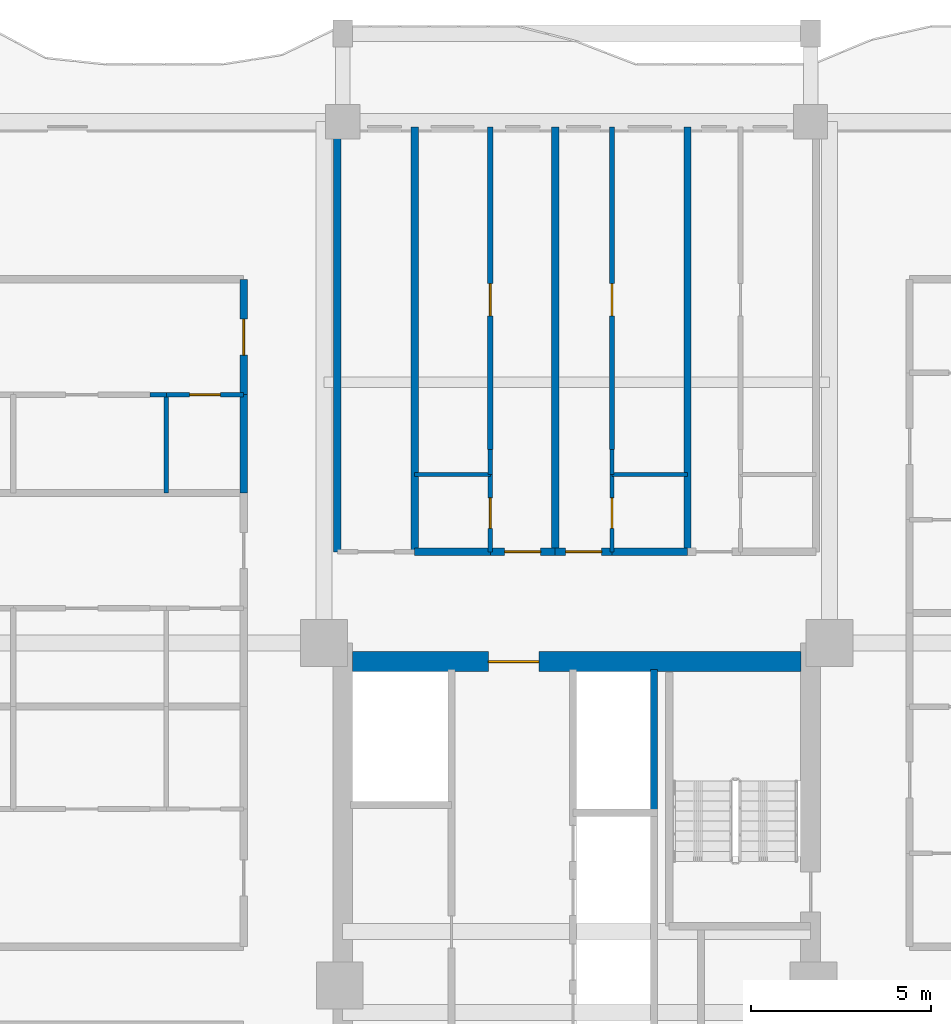
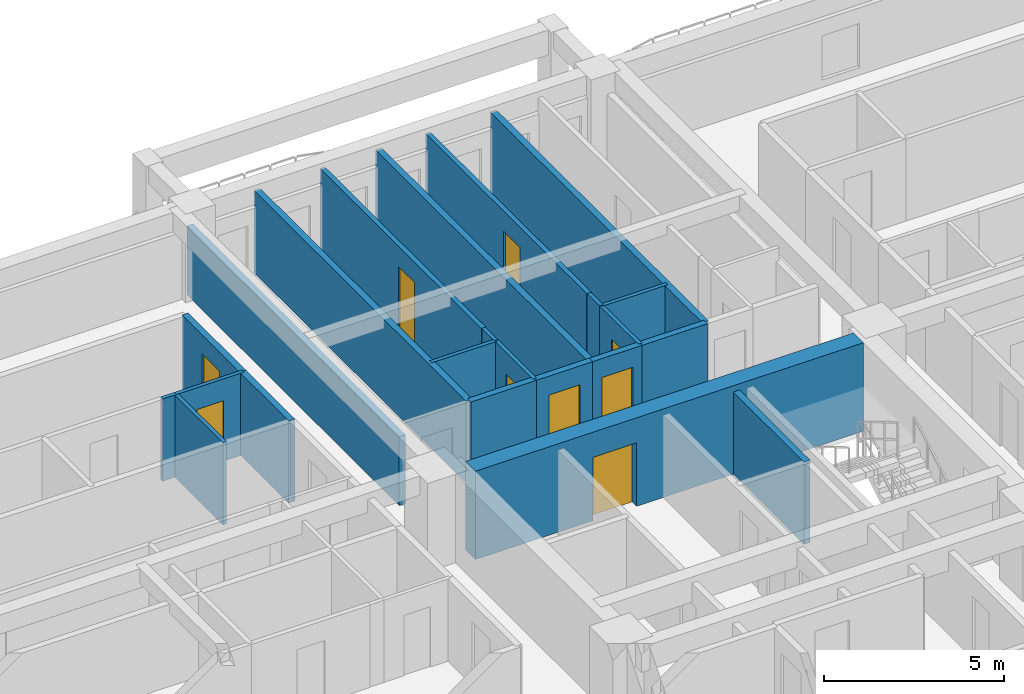
# One storey, part 19 of 26: 23 walls, 9 doors, 9 openings.
"""IFC4 building model written with IfcOpenShell, lengths in metres."""

import ifcopenshell
import ifcopenshell.guid

model = None  # the IFC model being written
_history = None  # IfcOwnerHistory: only IFC2X3 demands one
_inside = {}  # id of a spatial element -> (the spatial element, [elements in it])
_under = {}  # id of a project, library or spatial element -> (it, [spatial elements below it])
_declared = {}  # id of a project -> (the project, [libraries it declares])
_typed = {}  # id of a type object -> (the type object, [elements of that type])
_made_of = {}  # id of a material, layer set ... -> (it, [elements and type objects made of it])


def new_model(schema):
    """Start an empty IFC model of exactly this schema.

    Asked for "IFC4X3", IfcOpenShell would pick the latest addendum, in which some entities
    have other attributes; the version numbers below select the first issue.
    IFC2X3 requires an IfcOwnerHistory on every rooted entity: one is made here for all.
    """
    global model, _history
    if schema == "IFC4X3":
        model = ifcopenshell.file(schema_version=(4, 3, 0, 0))
    else:
        model = ifcopenshell.file(schema=schema)
    _inside.clear()
    _under.clear()
    _declared.clear()
    _typed.clear()
    _made_of.clear()
    _history = None
    if model.schema == "IFC2X3":
        org = make("IfcOrganization", Name="unknown")
        user = make(
            "IfcPersonAndOrganization",
            ThePerson=make("IfcPerson", FamilyName="unknown"),
            TheOrganization=org,
        )
        app = make(
            "IfcApplication",
            ApplicationDeveloper=org,
            Version="unknown",
            ApplicationFullName="unknown",
            ApplicationIdentifier="unknown",
        )
        _history = make(
            "IfcOwnerHistory",
            OwningUser=user,
            OwningApplication=app,
            ChangeAction="ADDED",
            CreationDate=0,
        )
    return model


def make(cls, **values):
    """One entity of the class cls with the attributes given. An attribute that is None is left unset."""
    return model.create_entity(
        cls, **{name: value for name, value in values.items() if value is not None}
    )


def rooted(cls, **values):
    """An entity with a GlobalId (a new one), such as an element, a storey or a relation."""
    return make(cls, GlobalId=ifcopenshell.guid.new(), OwnerHistory=_history, **values)


def si_unit(unit_type, name, prefix=None):
    """IfcSIUnit, for example si_unit("LENGTHUNIT", "METRE", prefix="MILLI")."""
    return make("IfcSIUnit", UnitType=unit_type, Prefix=prefix, Name=name)


def assignment(units):
    """IfcUnitAssignment: the units of a project."""
    return None if units is None else make("IfcUnitAssignment", Units=units)


def point(xyz):
    """IfcCartesianPoint."""
    return None if xyz is None else make("IfcCartesianPoint", Coordinates=xyz)


def direction(xyz):
    """IfcDirection."""
    return None if xyz is None else make("IfcDirection", DirectionRatios=xyz)


def frame(location, z_axis=None, x_axis=None):
    """IfcAxis2Placement3D, a coordinate frame: its origin and axes. An axis left out is left unset."""
    return make(
        "IfcAxis2Placement3D",
        Location=point(location),
        Axis=direction(z_axis),
        RefDirection=direction(x_axis),
    )


def frame_2d(location, x_axis=None):
    """IfcAxis2Placement2D, a coordinate frame in the plane: its origin and x axis."""
    return make(
        "IfcAxis2Placement2D", Location=point(location), RefDirection=direction(x_axis)
    )


def origin():
    """The frame at (0, 0, 0) with its axes left unset."""
    return frame((0.0, 0.0, 0.0))


def place(relative_to, where):
    """IfcLocalPlacement: puts the frame where relative to a parent placement (None: the world)."""
    return make(
        "IfcLocalPlacement", PlacementRelTo=relative_to, RelativePlacement=where
    )


def context(
    kind, dimensions, precision=None, world=None, true_north=None, identifier=None
):
    """IfcGeometricRepresentationContext, for example the 3D "Model" context."""
    return make(
        "IfcGeometricRepresentationContext",
        ContextIdentifier=identifier,
        ContextType=kind,
        CoordinateSpaceDimension=dimensions,
        Precision=precision,
        WorldCoordinateSystem=world,
        TrueNorth=true_north,
    )


def subcontext(parent, identifier, kind, view, scale=None):
    """IfcGeometricRepresentationSubContext, for example "Body" below "Model"."""
    return make(
        "IfcGeometricRepresentationSubContext",
        ContextIdentifier=identifier,
        ContextType=kind,
        ParentContext=parent,
        TargetScale=scale,
        TargetView=view,
    )


def project(units=None, contexts=None):
    """IfcProject with its units and contexts."""
    return rooted(
        "IfcProject",
        Name="project",
        RepresentationContexts=contexts,
        UnitsInContext=assignment(units),
    )


def spatial(cls, under=None, at=None, **own):
    """A site, building, storey or space (cls), placed at a placement, below another one or the project."""
    s = rooted(cls, ObjectPlacement=at, **own)
    if under is not None:
        _under.setdefault(under.id(), (under, []))[1].append(s)
    return s


def profile(cls, at=None, kind="AREA", **sizes):
    """A parametric profile (cls). Its sizes go by their IFC names, for example OverallWidth=200.0."""
    return make(cls, ProfileType=kind, Position=at, **sizes)


def rectangle(**sizes):
    """IfcRectangleProfileDef."""
    return profile("IfcRectangleProfileDef", **sizes)


def extrude(swept, where, along, depth):
    """IfcExtrudedAreaSolid: the profile swept, set in the frame where, extruded along a direction by depth."""
    return make(
        "IfcExtrudedAreaSolid",
        SweptArea=swept,
        Position=where,
        ExtrudedDirection=direction(along),
        Depth=depth,
    )


def shape(context_of_items, identifier, shape_type, items):
    """IfcShapeRepresentation: the items that make up one representation, for example the "Body"."""
    return make(
        "IfcShapeRepresentation",
        ContextOfItems=context_of_items,
        RepresentationIdentifier=identifier,
        RepresentationType=shape_type,
        Items=items,
    )


def source(mapping_origin, context_of_items, identifier, shape_type, items):
    """IfcRepresentationMap: a shape defined once, which mapped items show again and again."""
    return make(
        "IfcRepresentationMap",
        MappingOrigin=mapping_origin,
        MappedRepresentation=shape(context_of_items, identifier, shape_type, items),
    )


def transform(
    local_origin,
    x_axis=None,
    y_axis=None,
    z_axis=None,
    scale=None,
    scale2=None,
    scale3=None,
    uniform=True,
):
    """IfcCartesianTransformationOperator3D, or its non-uniform kind. x_axis, y_axis, z_axis: its Axis1, 2, 3."""
    if uniform:
        return make(
            "IfcCartesianTransformationOperator3D",
            Axis1=direction(x_axis),
            Axis2=direction(y_axis),
            LocalOrigin=point(local_origin),
            Scale=scale,
            Axis3=direction(z_axis),
        )
    return make(
        "IfcCartesianTransformationOperator3DnonUniform",
        Axis1=direction(x_axis),
        Axis2=direction(y_axis),
        LocalOrigin=point(local_origin),
        Scale=scale,
        Axis3=direction(z_axis),
        Scale2=scale2,
        Scale3=scale3,
    )


def mapped(mapping_source, mapping_target):
    """IfcMappedItem: shows the shape of a source again, moved by a transform."""
    return make(
        "IfcMappedItem", MappingSource=mapping_source, MappingTarget=mapping_target
    )


def material(Name=None, Category=None):
    """IfcMaterial."""
    return make("IfcMaterial", Name=Name, Category=Category)


def layer(
    of_material, thickness, ventilated=None, Name=None, Category=None, Priority=None
):
    """IfcMaterialLayer: one layer of a wall or slab, of a material (None: an air gap)."""
    return make(
        "IfcMaterialLayer",
        Material=of_material,
        LayerThickness=thickness,
        IsVentilated=ventilated,
        Name=Name,
        Category=Category,
        Priority=Priority,
    )


def layer_set(layers, Name=None):
    """IfcMaterialLayerSet."""
    return make("IfcMaterialLayerSet", MaterialLayers=layers, LayerSetName=Name)


def made_of(thing, what):
    """Note that an element or type object is made of a material, layer set ...; save() writes the relation."""
    if what is not None:
        _made_of.setdefault(what.id(), (what, []))[1].append(thing)
    return thing


def type_object(cls, material=None, **own):
    """A type object (cls), such as IfcWallType, which elements share."""
    return made_of(rooted(cls, **own), material)


def element(
    cls,
    number,
    at=None,
    inside=None,
    cuts=None,
    type_object=None,
    material=None,
    context=None,
    identifier="Body",
    shape_type=None,
    held_by="IfcProductDefinitionShape",
    body=None,
    shapes=None,
    **own,
):
    """One element of the class cls, such as IfcWall. Its Tag is "e" and its number.

    at: its placement. inside: the storey or other place that contains it. cuts: it is an
    opening in that element (IfcRelVoidsElement). A single representation is given by context,
    identifier, shape_type and body (its items); several are given by shapes. held_by: the class
    of the entity that holds the representations. save() writes the other relations.
    """
    e = rooted(cls, Tag="e%d" % number, ObjectPlacement=at, **own)
    if body is not None:
        shapes = [shape(context, identifier, shape_type, body)]
    if shapes is not None:
        e.Representation = make(held_by, Representations=shapes)
    if inside is not None:
        _inside.setdefault(inside.id(), (inside, []))[1].append(e)
    if cuts is not None:
        rooted(
            "IfcRelVoidsElement", RelatingBuildingElement=cuts, RelatedOpeningElement=e
        )
    if type_object is not None:
        _typed.setdefault(type_object.id(), (type_object, []))[1].append(e)
    return made_of(e, material)


def fill(opening, filler):
    """IfcRelFillsElement: the door or window that sits in an opening."""
    return rooted(
        "IfcRelFillsElement",
        RelatingOpeningElement=opening,
        RelatedBuildingElement=filler,
    )


def aggregate(whole, parts):
    """IfcRelAggregates: a whole, such as a stair, and the parts it consists of."""
    return rooted("IfcRelAggregates", RelatingObject=whole, RelatedObjects=parts)


def save(model, path):
    """Write the relations noted so far, then the file.

    IfcRelAggregates (storeys below a building ...), IfcRelContainedInSpatialStructure (elements
    in a storey), IfcRelDefinesByType, IfcRelAssociatesMaterial and IfcRelDeclares: one each for
    every whole, place, type object, material and project.
    """
    for whole, parts in _under.values():
        aggregate(whole, parts)
    for where, things in _inside.values():
        rooted(
            "IfcRelContainedInSpatialStructure",
            RelatedElements=things,
            RelatingStructure=where,
        )
    for kind, things in _typed.values():
        rooted("IfcRelDefinesByType", RelatedObjects=things, RelatingType=kind)
    for what, things in _made_of.values():
        rooted("IfcRelAssociatesMaterial", RelatedObjects=things, RelatingMaterial=what)
    for by, libraries in _declared.values():
        rooted("IfcRelDeclares", RelatingContext=by, RelatedDefinitions=libraries)
    model.write(path)


model = new_model("IFC4")

# Units and contexts
model_context = context("Model", 3, precision=1e-05, world=origin(), true_north=direction((0.0, 1.0)))
body_context = subcontext(model_context, "Body", "Model", "MODEL_VIEW")
ifc_project = project(units=[si_unit("LENGTHUNIT", "METRE"), si_unit("AREAUNIT", "SQUARE_METRE"), si_unit("VOLUMEUNIT", "CUBIC_METRE"), si_unit("PLANEANGLEUNIT", "RADIAN"), si_unit("MASSUNIT", "GRAM", prefix="KILO")], contexts=[model_context])

# Site, building, storey
site_placement = place(None, origin())
site = spatial("IfcSite", under=ifc_project, at=site_placement, CompositionType="ELEMENT")
building_placement = place(site_placement, origin())
building = spatial("IfcBuilding", under=site, at=building_placement, Name="Saelheon Loggia Tower", CompositionType="ELEMENT")
storey_placement = place(building_placement, frame((0.0, 0.0, 116.85009765625)))
storey = spatial("IfcBuildingStorey", under=building, at=storey_placement, Name="L37", CompositionType="ELEMENT", Elevation=116.85009765625)

# Wall, opening, door
ifc_material_1 = material(Name="Concrete C50/60", Category="concrete")
ifc_layer_1 = layer(ifc_material_1, 0.550048828125)
ifc_layer_set_1 = layer_set([ifc_layer_1], Name="Concrete C50/60")
wall_type_1 = type_object("IfcWallType", Name="Wall_CoreShear_550", PredefinedType="SHEAR", material=ifc_layer_set_1)
wall_1_placement = place(storey_placement, frame((31.77490234375, 36.0, 0.0), z_axis=(0.0, 0.0, 1.0), x_axis=(1.0, 0.0, 0.0)))
wall_1 = element("IfcWall", 1, at=wall_1_placement, inside=storey, type_object=wall_type_1, Name="L37 Core Shear Wall North", PredefinedType="SHEAR", context=body_context, shape_type="SweptSolid", body=[
    extrude(rectangle(XDim=12.4501953125, YDim=0.550048828125, at=frame_2d((6.22509765625, 0.0))), origin(), (0.0, 0.0, 1.0), 3.0),
])
opening_1_placement = place(wall_1_placement, frame((5.1748046875, 0.0, 0.0), z_axis=(0.0, 0.0, 1.0), x_axis=(-1.0, 0.0, 0.0)))
opening_1 = element("IfcOpeningElement", 2, at=opening_1_placement, cuts=wall_1, Name="Opening D-FD2L", PredefinedType="OPENING", context=body_context, shape_type="SweptSolid", body=[
    extrude(rectangle(XDim=1.39990234375, YDim=2.14990234375, at=frame_2d((0.699951171875, 1.074951171875))), frame((0.0, 0.287109375, 0.0), z_axis=(0.0, -1.0, 0.0), x_axis=(1.0, 0.0, 0.0)), (0.0, 0.0, 1.0), 0.573974609375),
])
ifc_material_2 = material(Name="Galvanised Steel Glazed Lobby Fire Door", Category="steel")
door_type_1 = type_object("IfcDoorType", Name="Door_Fire_FD60_1400", OperationType="NOTDEFINED", PredefinedType="DOOR", material=ifc_material_2)
shared_shape_1 = source(origin(), body_context, "Body", "SweptSolid", [
    extrude(rectangle(XDim=1.39990234375, YDim=2.14990234375, at=frame_2d((0.699951171875, 1.074951171875))), frame((0.0, 0.02490234375, 0.0), z_axis=(0.0, -1.0, 0.0), x_axis=(1.0, 0.0, 0.0)), (0.0, 0.0, 1.0), 0.050048828125),
])
door_1_placement = place(opening_1_placement, origin())
door_1 = element("IfcDoor", 3, at=door_1_placement, inside=storey, type_object=door_type_1, Name="L37 Passenger Lift Lobby Main Door", OperationType="SINGLE_SWING_RIGHT", OverallHeight=2.14990234375, OverallWidth=1.39990234375, PredefinedType="DOOR", context=body_context, shape_type="MappedRepresentation", body=[
    mapped(shared_shape_1, transform((0.0, 0.0, 0.0), scale=1.0)),
])
fill(opening_1, door_1)

ifc_material_3 = material(Name="Lightweight Autoclaved Aerated Concrete Block and Acoustic Gypsum", Category="concrete")
ifc_layer_2 = layer(ifc_material_3, 0.14990234375)
ifc_layer_set_2 = layer_set([ifc_layer_2], Name="Lightweight Autoclaved Aerated Concrete Block and Acoustic Gypsum")
wall_type_2 = type_object("IfcWallType", Name="Wall_Part_150", PredefinedType="PARTITIONING", material=ifc_layer_set_2)
wall_2_placement = place(storey_placement, frame((35.60009765625, 41.889892578125, 0.0), z_axis=(0.0, 0.0, 1.0), x_axis=(0.0, 1.0, 0.0)))
wall_2 = element("IfcWall", 4, at=wall_2_placement, inside=storey, type_object=wall_type_2, Name="L37 N Partition U10", PredefinedType="PARTITIONING", context=body_context, shape_type="SweptSolid", body=[
    extrude(rectangle(XDim=8.960205078125, YDim=0.14990234375, at=frame_2d((4.47998046875, 0.0))), origin(), (0.0, 0.0, 1.0), 2.789794921875),
])
opening_2_placement = place(wall_2_placement, frame((3.714111328125, 0.0, 0.0)))
opening_2 = element("IfcOpeningElement", 5, at=opening_2_placement, cuts=wall_2, Name="Opening D-IN2", PredefinedType="OPENING", context=body_context, shape_type="SweptSolid", body=[
    extrude(rectangle(XDim=0.89990234375, YDim=2.10009765625, at=frame_2d((0.449951171875, 1.050048828125))), frame((0.0, 0.0869140625, 0.0), z_axis=(0.0, -1.0, 0.0), x_axis=(1.0, 0.0, 0.0)), (0.0, 0.0, 1.0), 0.173828125),
])
ifc_material_4 = material(Name="Engineered Oak Flush Door", Category="timber")
door_type_2 = type_object("IfcDoorType", Name="Door_Int_900", OperationType="NOTDEFINED", PredefinedType="DOOR", material=ifc_material_4)
shared_shape_2 = source(origin(), body_context, "Body", "SweptSolid", [
    extrude(rectangle(XDim=0.89990234375, YDim=2.10009765625, at=frame_2d((0.449951171875, 1.050048828125))), frame((0.0, 0.02490234375, 0.0), z_axis=(0.0, -1.0, 0.0), x_axis=(1.0, 0.0, 0.0)), (0.0, 0.0, 1.0), 0.050048828125),
])
door_2_placement = place(opening_2_placement, origin())
door_2 = element("IfcDoor", 6, at=door_2_placement, inside=storey, type_object=door_type_2, Name="Unit U02 Kitchen Door", OperationType="SINGLE_SWING_RIGHT", OverallHeight=2.10009765625, OverallWidth=0.89990234375, PredefinedType="DOOR", context=body_context, shape_type="MappedRepresentation", body=[
    mapped(shared_shape_2, transform((0.0, 0.0, 0.0), scale=1.0)),
])
fill(opening_2, door_2)

wall_3_placement = place(storey_placement, frame((38.98193359375, 41.889892578125, 0.0), z_axis=(0.0, 0.0, 1.0), x_axis=(0.0, 1.0, 0.0)))
wall_3 = element("IfcWall", 7, at=wall_3_placement, inside=storey, type_object=wall_type_2, Name="L37 N Partition U17", PredefinedType="PARTITIONING", context=body_context, shape_type="SweptSolid", body=[
    extrude(rectangle(XDim=8.960205078125, YDim=0.14990234375, at=frame_2d((4.47998046875, 0.0))), origin(), (0.0, 0.0, 1.0), 2.789794921875),
])
opening_3_placement = place(wall_3_placement, frame((3.714111328125, 0.0, 0.0)))
opening_3 = element("IfcOpeningElement", 8, at=opening_3_placement, cuts=wall_3, Name="Opening D-IN2", PredefinedType="OPENING", context=body_context, shape_type="SweptSolid", body=[
    extrude(rectangle(XDim=0.89990234375, YDim=2.10009765625, at=frame_2d((0.449951171875, 1.050048828125))), frame((0.0, 0.0869140625, 0.0), z_axis=(0.0, -1.0, 0.0), x_axis=(1.0, 0.0, 0.0)), (0.0, 0.0, 1.0), 0.173828125),
])
door_3_placement = place(opening_3_placement, origin())
door_3 = element("IfcDoor", 9, at=door_3_placement, inside=storey, type_object=door_type_2, Name="Unit U03 Kitchen Door", OperationType="SINGLE_SWING_LEFT", OverallHeight=2.10009765625, OverallWidth=0.89990234375, PredefinedType="DOOR", context=body_context, shape_type="MappedRepresentation", body=[
    mapped(shared_shape_2, transform((0.0, 0.0, 0.0), scale=1.0)),
])
fill(opening_3, door_3)

# Walls
ifc_material_5 = material(Name="Double Acoustic Stud and Fireboard Partition", Category="gypsum")
ifc_layer_3 = layer(ifc_material_5, 0.199951171875)
ifc_layer_set_3 = layer_set([ifc_layer_3], Name="Double Acoustic Stud and Fireboard Partition")
wall_type_3 = type_object("IfcWallType", Name="Wall_Party_200", PredefinedType="PARTITIONING", material=ifc_layer_set_3)
wall_4_placement = place(storey_placement, frame((31.35009765625, 39.050048828125, 0.0), z_axis=(0.0, 0.0, 1.0), x_axis=(0.0, 1.0, 0.0)))
element("IfcWall", 10, at=wall_4_placement, inside=storey, type_object=wall_type_3, Name="L37 N Partition U01", PredefinedType="PARTITIONING", context=body_context, shape_type="SweptSolid", body=[
    extrude(rectangle(XDim=11.800048828125, YDim=0.199951171875, at=frame_2d((5.89990234375, 0.0))), origin(), (0.0, 0.0, 1.0), 2.33984375),
])
wall_5_placement = place(storey_placement, frame((33.5, 39.050048828125, 0.0), z_axis=(0.0, 0.0, 1.0), x_axis=(0.0, 1.0, 0.0)))
element("IfcWall", 11, at=wall_5_placement, inside=storey, type_object=wall_type_3, Name="L37 N Partition U03", PredefinedType="PARTITIONING", context=body_context, shape_type="SweptSolid", body=[
    extrude(rectangle(XDim=11.800048828125, YDim=0.199951171875, at=frame_2d((5.89990234375, 0.0))), origin(), (0.0, 0.0, 1.0), 2.789794921875),
])
wall_6_placement = place(storey_placement, frame((33.5, 39.050048828125, 0.0), z_axis=(0.0, 0.0, 1.0), x_axis=(1.0, 0.0, 0.0)))
element("IfcWall", 12, at=wall_6_placement, inside=storey, type_object=wall_type_3, Name="L37 N Partition V05", PredefinedType="PARTITIONING", context=body_context, shape_type="SweptSolid", body=[
    extrude(rectangle(XDim=2.10009765625, YDim=0.199951171875, at=frame_2d((1.050048828125, 0.0))), origin(), (0.0, 0.0, 1.0), 2.789794921875),
])

# Wall, opening, door
wall_7_placement = place(storey_placement, frame((35.60009765625, 39.050048828125, 0.0), z_axis=(0.0, 0.0, 1.0), x_axis=(1.0, 0.0, 0.0)))
wall_7 = element("IfcWall", 13, at=wall_7_placement, inside=storey, type_object=wall_type_3, Name="L37 N Partition V06", PredefinedType="PARTITIONING", context=body_context, shape_type="SweptSolid", body=[
    extrude(rectangle(XDim=1.802490234375, YDim=0.199951171875, at=frame_2d((0.9013671875, 0.0))), origin(), (0.0, 0.0, 1.0), 2.789794921875),
])
opening_4_placement = place(wall_7_placement, frame((0.4013671875, 0.0, 0.0)))
opening_4 = element("IfcOpeningElement", 14, at=opening_4_placement, cuts=wall_7, Name="Opening D-FD1", PredefinedType="OPENING", context=body_context, shape_type="SweptSolid", body=[
    extrude(rectangle(XDim=1.0, YDim=2.14990234375, at=frame_2d((0.5, 1.074951171875))), frame((0.0, 0.112060546875, 0.0), z_axis=(0.0, -1.0, 0.0), x_axis=(1.0, 0.0, 0.0)), (0.0, 0.0, 1.0), 0.223876953125),
])
ifc_material_6 = material(Name="Fire-Rated Engineered Timber Entrance Door", Category="wood")
door_type_3 = type_object("IfcDoorType", Name="Door_Flat_FD30S", OperationType="NOTDEFINED", PredefinedType="DOOR", material=ifc_material_6)
shared_shape_3 = source(origin(), body_context, "Body", "SweptSolid", [
    extrude(rectangle(XDim=1.0, YDim=2.14990234375, at=frame_2d((0.5, 1.074951171875))), frame((0.0, 0.02490234375, 0.0), z_axis=(0.0, -1.0, 0.0), x_axis=(1.0, 0.0, 0.0)), (0.0, 0.0, 1.0), 0.050048828125),
])
door_4_placement = place(opening_4_placement, origin())
door_4 = element("IfcDoor", 15, at=door_4_placement, inside=storey, type_object=door_type_3, Name="Unit U02 Entrance Door", OperationType="SINGLE_SWING_RIGHT", OverallHeight=2.14990234375, OverallWidth=1.0, PredefinedType="DOOR", context=body_context, shape_type="MappedRepresentation", body=[
    mapped(shared_shape_3, transform((0.0, 0.0, 0.0), scale=1.0)),
])
fill(opening_4, door_4)

# Wall
wall_8_placement = place(storey_placement, frame((37.402587890625, 39.050048828125, 0.0), z_axis=(0.0, 0.0, 1.0), x_axis=(0.0, 1.0, 0.0)))
element("IfcWall", 16, at=wall_8_placement, inside=storey, type_object=wall_type_3, Name="L37 N Partition U11", PredefinedType="PARTITIONING", context=body_context, shape_type="SweptSolid", body=[
    extrude(rectangle(XDim=11.800048828125, YDim=0.199951171875, at=frame_2d((5.89990234375, 0.0))), origin(), (0.0, 0.0, 1.0), 2.789794921875),
])

# Wall, opening, door
wall_9_placement = place(storey_placement, frame((37.402587890625, 39.050048828125, 0.0), z_axis=(0.0, 0.0, 1.0), x_axis=(1.0, 0.0, 0.0)))
wall_9 = element("IfcWall", 17, at=wall_9_placement, inside=storey, type_object=wall_type_3, Name="L37 N Partition V12", PredefinedType="PARTITIONING", context=body_context, shape_type="SweptSolid", body=[
    extrude(rectangle(XDim=1.579345703125, YDim=0.199951171875, at=frame_2d((0.78955078125, 0.0))), origin(), (0.0, 0.0, 1.0), 2.789794921875),
])
opening_5_placement = place(wall_9_placement, frame((0.289794921875, 0.0, 0.0)))
opening_5 = element("IfcOpeningElement", 18, at=opening_5_placement, cuts=wall_9, Name="Opening D-FD1", PredefinedType="OPENING", context=body_context, shape_type="SweptSolid", body=[
    extrude(rectangle(XDim=1.0, YDim=2.14990234375, at=frame_2d((0.5, 1.074951171875))), frame((0.0, 0.112060546875, 0.0), z_axis=(0.0, -1.0, 0.0), x_axis=(1.0, 0.0, 0.0)), (0.0, 0.0, 1.0), 0.223876953125),
])
door_5_placement = place(opening_5_placement, origin())
door_5 = element("IfcDoor", 19, at=door_5_placement, inside=storey, type_object=door_type_3, Name="Unit U03 Entrance Door", OperationType="SINGLE_SWING_LEFT", OverallHeight=2.14990234375, OverallWidth=1.0, PredefinedType="DOOR", context=body_context, shape_type="MappedRepresentation", body=[
    mapped(shared_shape_3, transform((0.0, 0.0, 0.0), scale=1.0)),
])
fill(opening_5, door_5)

# Walls
wall_10_placement = place(storey_placement, frame((38.98193359375, 39.050048828125, 0.0), z_axis=(0.0, 0.0, 1.0), x_axis=(1.0, 0.0, 0.0)))
element("IfcWall", 20, at=wall_10_placement, inside=storey, type_object=wall_type_3, Name="L37 N Partition V13", PredefinedType="PARTITIONING", context=body_context, shape_type="SweptSolid", body=[
    extrude(rectangle(XDim=2.10009765625, YDim=0.199951171875, at=frame_2d((1.050048828125, 0.0))), origin(), (0.0, 0.0, 1.0), 2.789794921875),
])
wall_11_placement = place(storey_placement, frame((41.08203125, 39.050048828125, 0.0), z_axis=(0.0, 0.0, 1.0), x_axis=(0.0, 1.0, 0.0)))
element("IfcWall", 21, at=wall_11_placement, inside=storey, type_object=wall_type_3, Name="L37 N Partition U18", PredefinedType="PARTITIONING", context=body_context, shape_type="SweptSolid", body=[
    extrude(rectangle(XDim=11.800048828125, YDim=0.199951171875, at=frame_2d((5.89990234375, 0.0))), origin(), (0.0, 0.0, 1.0), 2.789794921875),
])
wall_12_placement = place(storey_placement, frame((28.75, 40.687255859375, 0.0), z_axis=(0.0, 0.0, 1.0), x_axis=(0.0, 1.0, 0.0)))
element("IfcWall", 22, at=wall_12_placement, inside=storey, type_object=wall_type_3, Name="L37 WN Partition V21", PredefinedType="PARTITIONING", context=body_context, shape_type="SweptSolid", body=[
    extrude(rectangle(XDim=2.72900390625, YDim=0.199951171875, at=frame_2d((1.364501953125, 0.0))), origin(), (0.0, 0.0, 1.0), 2.789794921875),
])

# Wall, opening, door
wall_13_placement = place(storey_placement, frame((28.75, 43.416259765625, 0.0), z_axis=(0.0, 0.0, 1.0), x_axis=(0.0, 1.0, 0.0)))
wall_13 = element("IfcWall", 23, at=wall_13_placement, inside=storey, type_object=wall_type_3, Name="L37 WN Partition V22", PredefinedType="PARTITIONING", context=body_context, shape_type="SweptSolid", body=[
    extrude(rectangle(XDim=3.203857421875, YDim=0.199951171875, at=frame_2d((1.60205078125, 0.0))), origin(), (0.0, 0.0, 1.0), 2.789794921875),
])
opening_6_placement = place(wall_13_placement, frame((1.101806640625, 0.0, 0.0)))
opening_6 = element("IfcOpeningElement", 24, at=opening_6_placement, cuts=wall_13, Name="Opening D-FD1", PredefinedType="OPENING", context=body_context, shape_type="SweptSolid", body=[
    extrude(rectangle(XDim=1.0, YDim=2.14990234375, at=frame_2d((0.5, 1.074951171875))), frame((0.0, 0.112060546875, 0.0), z_axis=(0.0, -1.0, 0.0), x_axis=(1.0, 0.0, 0.0)), (0.0, 0.0, 1.0), 0.223876953125),
])
door_6_placement = place(opening_6_placement, origin())
door_6 = element("IfcDoor", 25, at=door_6_placement, inside=storey, type_object=door_type_3, Name="Unit U09 Entrance Door", OperationType="SINGLE_SWING_LEFT", OverallHeight=2.14990234375, OverallWidth=1.0, PredefinedType="DOOR", context=body_context, shape_type="MappedRepresentation", body=[
    mapped(shared_shape_3, transform((0.0, 0.0, 0.0), scale=1.0)),
])
fill(opening_6, door_6)

# Wall
ifc_material_7 = material(Name="Concrete C40/50", Category="concrete")
ifc_layer_4 = layer(ifc_material_7, 0.199951171875)
ifc_layer_set_4 = layer_set([ifc_layer_4], Name="Concrete C40/50")
wall_type_4 = type_object("IfcWallType", Name="Wall_Shaft_200", PredefinedType="PARTITIONING", material=ifc_layer_set_4)
wall_14_placement = place(storey_placement, frame((40.14990234375, 31.800048828125, 0.0), z_axis=(0.0, 0.0, 1.0), x_axis=(0.0, 1.0, 0.0)))
element("IfcWall", 26, at=wall_14_placement, inside=storey, type_object=wall_type_4, Name="L37 East High-Rise Hoistway East Wall", PredefinedType="PARTITIONING", context=body_context, shape_type="SweptSolid", body=[
    extrude(rectangle(XDim=3.97998046875, YDim=0.199951171875, at=frame_2d((1.989990234375, 0.0))), origin(), (0.0, 0.0, 1.0), 2.789794921875),
])

# Wall, opening, door
ifc_material_8 = material(Name="Moisture-Resistant Cement Board Partition", Category="gypsum")
ifc_layer_5 = layer(ifc_material_8, 0.1201171875)
ifc_layer_set_5 = layer_set([ifc_layer_5], Name="Moisture-Resistant Cement Board Partition")
wall_type_5 = type_object("IfcWallType", Name="Wall_WetPart_120", PredefinedType="PARTITIONING", material=ifc_layer_set_5)
wall_15_placement = place(storey_placement, frame((35.60009765625, 39.050048828125, 0.0), z_axis=(0.0, 0.0, 1.0), x_axis=(0.0, 1.0, 0.0)))
wall_15 = element("IfcWall", 27, at=wall_15_placement, inside=storey, type_object=wall_type_5, Name="L37 N Partition U07", PredefinedType="PARTITIONING", context=body_context, shape_type="SweptSolid", body=[
    extrude(rectangle(XDim=2.14990234375, YDim=0.1201171875, at=frame_2d((1.074951171875, 0.0))), origin(), (0.0, 0.0, 1.0), 2.789794921875),
])
opening_7_placement = place(wall_15_placement, frame((0.64990234375, 0.0, 0.0)))
opening_7 = element("IfcOpeningElement", 28, at=opening_7_placement, cuts=wall_15, Name="Opening D-BT1", PredefinedType="OPENING", context=body_context, shape_type="SweptSolid", body=[
    extrude(rectangle(XDim=0.85009765625, YDim=2.050048828125, at=frame_2d((0.425048828125, 1.02490234375))), frame((0.0, 0.072021484375, 0.0), z_axis=(0.0, -1.0, 0.0), x_axis=(1.0, 0.0, 0.0)), (0.0, 0.0, 1.0), 0.14404296875),
])
ifc_material_9 = material(Name="Moisture-Resistant Laminate Timber Door", Category="wood")
door_type_4 = type_object("IfcDoorType", Name="Door_Bath_850", OperationType="NOTDEFINED", PredefinedType="DOOR", material=ifc_material_9)
shared_shape_4 = source(origin(), body_context, "Body", "SweptSolid", [
    extrude(rectangle(XDim=0.85009765625, YDim=2.050048828125, at=frame_2d((0.425048828125, 1.02490234375))), frame((0.0, 0.02490234375, 0.0), z_axis=(0.0, -1.0, 0.0), x_axis=(1.0, 0.0, 0.0)), (0.0, 0.0, 1.0), 0.050048828125),
])
door_7_placement = place(opening_7_placement, origin())
door_7 = element("IfcDoor", 29, at=door_7_placement, inside=storey, type_object=door_type_4, Name="Unit U02 Bathroom Door", OperationType="SINGLE_SWING_LEFT", OverallHeight=2.050048828125, OverallWidth=0.85009765625, PredefinedType="DOOR", context=body_context, shape_type="MappedRepresentation", body=[
    mapped(shared_shape_4, transform((0.0, 0.0, 0.0), scale=1.0)),
])
fill(opening_7, door_7)

# Walls
wall_16_placement = place(storey_placement, frame((35.60009765625, 41.199951171875, 0.0), z_axis=(0.0, 0.0, 1.0), x_axis=(0.0, 1.0, 0.0)))
element("IfcWall", 30, at=wall_16_placement, inside=storey, type_object=wall_type_5, Name="L37 N Partition U08", PredefinedType="PARTITIONING", context=body_context, shape_type="SweptSolid", body=[
    extrude(rectangle(XDim=0.68994140625, YDim=0.1201171875, at=frame_2d((0.344970703125, 0.0))), origin(), (0.0, 0.0, 1.0), 2.789794921875),
])
wall_17_placement = place(storey_placement, frame((33.5, 41.199951171875, 0.0), z_axis=(0.0, 0.0, 1.0), x_axis=(1.0, 0.0, 0.0)))
element("IfcWall", 31, at=wall_17_placement, inside=storey, type_object=wall_type_5, Name="L37 N Partition V09", PredefinedType="PARTITIONING", context=body_context, shape_type="SweptSolid", body=[
    extrude(rectangle(XDim=2.10009765625, YDim=0.1201171875, at=frame_2d((1.050048828125, 0.0))), origin(), (0.0, 0.0, 1.0), 2.789794921875),
])

# Wall, opening, door
wall_18_placement = place(storey_placement, frame((38.98193359375, 39.050048828125, 0.0), z_axis=(0.0, 0.0, 1.0), x_axis=(0.0, 1.0, 0.0)))
wall_18 = element("IfcWall", 32, at=wall_18_placement, inside=storey, type_object=wall_type_5, Name="L37 N Partition U14", PredefinedType="PARTITIONING", context=body_context, shape_type="SweptSolid", body=[
    extrude(rectangle(XDim=2.14990234375, YDim=0.1201171875, at=frame_2d((1.074951171875, 0.0))), origin(), (0.0, 0.0, 1.0), 2.789794921875),
])
opening_8_placement = place(wall_18_placement, frame((0.64990234375, 0.0, 0.0)))
opening_8 = element("IfcOpeningElement", 33, at=opening_8_placement, cuts=wall_18, Name="Opening D-BT1", PredefinedType="OPENING", context=body_context, shape_type="SweptSolid", body=[
    extrude(rectangle(XDim=0.85009765625, YDim=2.050048828125, at=frame_2d((0.425048828125, 1.02490234375))), frame((0.0, 0.072021484375, 0.0), z_axis=(0.0, -1.0, 0.0), x_axis=(1.0, 0.0, 0.0)), (0.0, 0.0, 1.0), 0.14404296875),
])
door_8_placement = place(opening_8_placement, origin())
door_8 = element("IfcDoor", 34, at=door_8_placement, inside=storey, type_object=door_type_4, Name="Unit U03 Bathroom Door", OperationType="SINGLE_SWING_RIGHT", OverallHeight=2.050048828125, OverallWidth=0.85009765625, PredefinedType="DOOR", context=body_context, shape_type="MappedRepresentation", body=[
    mapped(shared_shape_4, transform((0.0, 0.0, 0.0), scale=1.0)),
])
fill(opening_8, door_8)

# Walls
wall_19_placement = place(storey_placement, frame((38.98193359375, 41.199951171875, 0.0), z_axis=(0.0, 0.0, 1.0), x_axis=(0.0, 1.0, 0.0)))
element("IfcWall", 35, at=wall_19_placement, inside=storey, type_object=wall_type_5, Name="L37 N Partition U15", PredefinedType="PARTITIONING", context=body_context, shape_type="SweptSolid", body=[
    extrude(rectangle(XDim=0.68994140625, YDim=0.1201171875, at=frame_2d((0.344970703125, 0.0))), origin(), (0.0, 0.0, 1.0), 2.789794921875),
])
wall_20_placement = place(storey_placement, frame((38.98193359375, 41.199951171875, 0.0), z_axis=(0.0, 0.0, 1.0), x_axis=(1.0, 0.0, 0.0)))
element("IfcWall", 36, at=wall_20_placement, inside=storey, type_object=wall_type_5, Name="L37 N Partition V16", PredefinedType="PARTITIONING", context=body_context, shape_type="SweptSolid", body=[
    extrude(rectangle(XDim=2.10009765625, YDim=0.1201171875, at=frame_2d((1.050048828125, 0.0))), origin(), (0.0, 0.0, 1.0), 2.789794921875),
])

# Wall, opening, door
wall_21_placement = place(storey_placement, frame((28.75, 43.416259765625, 0.0), z_axis=(0.0, 0.0, 1.0), x_axis=(-1.0, 0.0, 0.0)))
wall_21 = element("IfcWall", 37, at=wall_21_placement, inside=storey, type_object=wall_type_5, Name="L37 WN Partition U23", PredefinedType="PARTITIONING", context=body_context, shape_type="SweptSolid", body=[
    extrude(rectangle(XDim=2.14990234375, YDim=0.1201171875, at=frame_2d((1.074951171875, 0.0))), origin(), (0.0, 0.0, 1.0), 2.789794921875),
])
opening_9_placement = place(wall_21_placement, frame((0.64990234375, 0.0, 0.0)))
opening_9 = element("IfcOpeningElement", 38, at=opening_9_placement, cuts=wall_21, Name="Opening D-BT1", PredefinedType="OPENING", context=body_context, shape_type="SweptSolid", body=[
    extrude(rectangle(XDim=0.85009765625, YDim=2.050048828125, at=frame_2d((0.425048828125, 1.02490234375))), frame((0.0, 0.072021484375, 0.0), z_axis=(0.0, -1.0, 0.0), x_axis=(1.0, 0.0, 0.0)), (0.0, 0.0, 1.0), 0.14404296875),
])
door_9_placement = place(opening_9_placement, origin())
door_9 = element("IfcDoor", 39, at=door_9_placement, inside=storey, type_object=door_type_4, Name="Unit U09 Bathroom Door", OperationType="SINGLE_SWING_RIGHT", OverallHeight=2.050048828125, OverallWidth=0.85009765625, PredefinedType="DOOR", context=body_context, shape_type="MappedRepresentation", body=[
    mapped(shared_shape_4, transform((0.0, 0.0, 0.0), scale=1.0)),
])
fill(opening_9, door_9)

# Walls
wall_22_placement = place(storey_placement, frame((26.60009765625, 43.416259765625, 0.0), z_axis=(0.0, 0.0, 1.0), x_axis=(-1.0, 0.0, 0.0)))
element("IfcWall", 40, at=wall_22_placement, inside=storey, type_object=wall_type_5, Name="L37 WN Partition U24", PredefinedType="PARTITIONING", context=body_context, shape_type="SweptSolid", body=[
    extrude(rectangle(XDim=0.4501953125, YDim=0.1201171875, at=frame_2d((0.22509765625, 0.0))), origin(), (0.0, 0.0, 1.0), 2.789794921875),
])
wall_23_placement = place(storey_placement, frame((26.60009765625, 40.687255859375, 0.0), z_axis=(0.0, 0.0, 1.0), x_axis=(0.0, 1.0, 0.0)))
element("IfcWall", 41, at=wall_23_placement, inside=storey, type_object=wall_type_5, Name="L37 WN Partition V25", PredefinedType="PARTITIONING", context=body_context, shape_type="SweptSolid", body=[
    extrude(rectangle(XDim=2.72900390625, YDim=0.1201171875, at=frame_2d((1.364501953125, 0.0))), origin(), (0.0, 0.0, 1.0), 2.789794921875),
])

save(model, "model.ifc")
